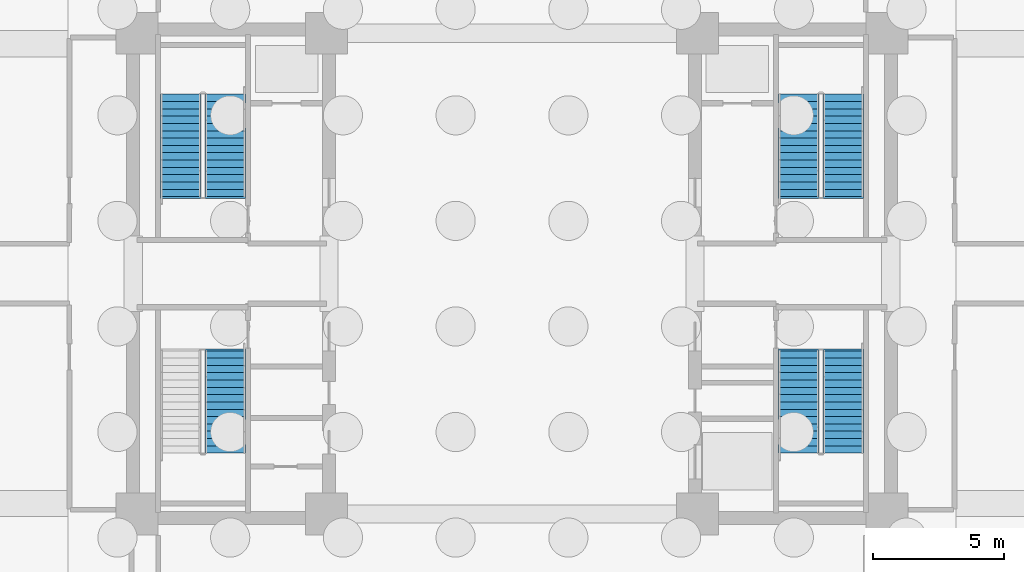
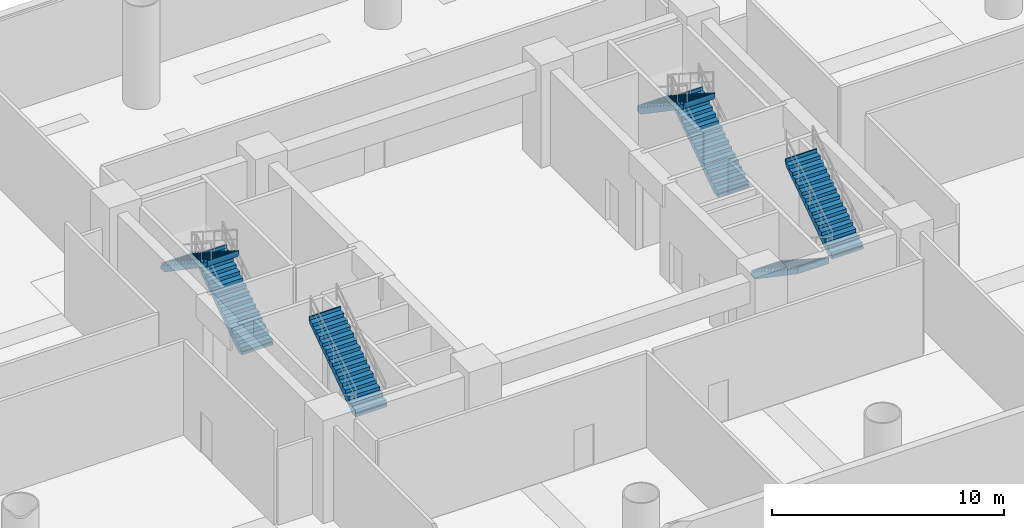
# One storey, part 5 of 7: 7 stair flights, 4 elements without a shape of their own.
"""IFC4 building model written with IfcOpenShell, lengths in metres."""

from ifc_helpers import new_model, si_unit, direction, frame, origin, place, context, subcontext, project, spatial, polyline, outline, extrude, material, type_object, element, aggregate, save


model = new_model("IFC4")

# Units and contexts
model_context = context("Model", 3, precision=1e-05, world=origin(), true_north=direction((0.0, 1.0)))
body_context = subcontext(model_context, "Body", "Model", "MODEL_VIEW")
ifc_project = project(units=[si_unit("LENGTHUNIT", "METRE"), si_unit("AREAUNIT", "SQUARE_METRE"), si_unit("VOLUMEUNIT", "CUBIC_METRE"), si_unit("PLANEANGLEUNIT", "RADIAN"), si_unit("MASSUNIT", "GRAM", prefix="KILO")], contexts=[model_context])

# Site, building, storey
site_placement = place(None, origin())
site = spatial("IfcSite", under=ifc_project, at=site_placement, CompositionType="ELEMENT")
building_placement = place(site_placement, origin())
building = spatial("IfcBuilding", under=site, at=building_placement, Name="Zahravan Cultural Tower", CompositionType="ELEMENT")
storey_placement = place(building_placement, frame((0.0, 0.0, -5.39990234375)))
storey = spatial("IfcBuildingStorey", under=building, at=storey_placement, Name="B1", CompositionType="ELEMENT", Elevation=-5.39990234375)

# Stair, stair flights
ifc_material = material(Name="Concrete C45/55", Category="concrete")
stair_type = type_object("IfcStairType", Name="STR-DL-1550-540", PredefinedType="HALF_TURN_STAIR", material=ifc_material)
stair_1_placement = place(storey_placement, origin())
stair_1 = element("IfcStair", 1, at=stair_1_placement, inside=storey, type_object=stair_type, Name="B1 West Core North Exit Stair ST-W1", PredefinedType="HALF_TURN_STAIR")
stair_flight_type = type_object("IfcStairFlightType", Name="FLG-DL-1550-540", PredefinedType="STRAIGHT", material=ifc_material)
stair_flight_1_placement = place(storey_placement, frame((25.02490234375, 29.949951171875, 0.0), z_axis=(0.0, 0.0, 1.0), x_axis=(0.0, 1.0, 0.0)))
stair_flight_1 = element("IfcStairFlight", 2, at=stair_flight_1_placement, type_object=stair_flight_type, Name="ST-W1 flight 1", NumberOfRisers=15, NumberOfTreads=14, PredefinedType="STRAIGHT", RiserHeight=0.18, TreadLength=0.28, context=body_context, shape_type="SweptSolid", body=[
    extrude(outline(polyline([(-0.06494140625, -0.139892578125), (-0.06494140625, 0.0), (0.0, 0.0), (0.0, 0.179931640625), (0.280029296875, 0.179931640625), (0.280029296875, 0.360107421875), (0.56005859375, 0.360107421875), (0.56005859375, 0.5400390625), (0.840087890625, 0.5400390625), (0.840087890625, 0.719970703125), (1.1201171875, 0.719970703125), (1.1201171875, 0.89990234375), (1.39990234375, 0.89990234375), (1.39990234375, 1.080078125), (1.679931640625, 1.080078125), (1.679931640625, 1.260009765625), (1.9599609375, 1.260009765625), (1.9599609375, 1.43994140625), (2.239990234375, 1.43994140625), (2.239990234375, 1.6201171875), (2.52001953125, 1.6201171875), (2.52001953125, 1.800048828125), (2.800048828125, 1.800048828125), (2.800048828125, 1.97998046875), (3.080078125, 1.97998046875), (3.080078125, 2.159912109375), (3.360107421875, 2.159912109375), (3.360107421875, 2.340087890625), (3.639892578125, 2.340087890625), (3.639892578125, 2.52001953125), (3.919921875, 2.52001953125), (3.919921875, 2.699951171875), (3.985107421875, 2.699951171875), (3.985107421875, 2.550048828125), (3.919921875, 2.341796875), (0.277099609375, -0.139892578125), (-0.06494140625, -0.139892578125)])), frame((0.0, 0.77490234375, 0.0), z_axis=(0.0, -1.0, 0.0), x_axis=(1.0, 0.0, 0.0)), (0.0, 0.0, 1.0), 1.550048828125),
])
stair_flight_2_placement = place(storey_placement, frame((23.324951171875, 33.8701171875, 2.699951171875), z_axis=(0.0, 0.0, 1.0), x_axis=(0.0, -1.0, 0.0)))
stair_flight_2 = element("IfcStairFlight", 3, at=stair_flight_2_placement, type_object=stair_flight_type, Name="ST-W1 flight 2", NumberOfRisers=15, NumberOfTreads=14, PredefinedType="STRAIGHT", RiserHeight=0.18, TreadLength=0.28, context=body_context, shape_type="SweptSolid", body=[
    extrude(outline(polyline([(-0.06494140625, -0.139892578125), (-0.06494140625, 0.0), (0.0, 0.0), (0.0, 0.179931640625), (0.280029296875, 0.179931640625), (0.280029296875, 0.360107421875), (0.56005859375, 0.360107421875), (0.56005859375, 0.5400390625), (0.840087890625, 0.5400390625), (0.840087890625, 0.719970703125), (1.1201171875, 0.719970703125), (1.1201171875, 0.89990234375), (1.39990234375, 0.89990234375), (1.39990234375, 1.080078125), (1.679931640625, 1.080078125), (1.679931640625, 1.260009765625), (1.9599609375, 1.260009765625), (1.9599609375, 1.43994140625), (2.239990234375, 1.43994140625), (2.239990234375, 1.6201171875), (2.52001953125, 1.6201171875), (2.52001953125, 1.800048828125), (2.800048828125, 1.800048828125), (2.800048828125, 1.97998046875), (3.080078125, 1.97998046875), (3.080078125, 2.159912109375), (3.360107421875, 2.159912109375), (3.360107421875, 2.340087890625), (3.639892578125, 2.340087890625), (3.639892578125, 2.52001953125), (3.919921875, 2.52001953125), (3.919921875, 2.699951171875), (3.985107421875, 2.699951171875), (3.985107421875, 2.550048828125), (3.919921875, 2.341796875), (0.277099609375, -0.139892578125), (-0.06494140625, -0.139892578125)])), frame((0.0, 0.77490234375, 0.0), z_axis=(0.0, -1.0, 0.0), x_axis=(1.0, 0.0, 0.0)), (0.0, 0.0, 1.0), 1.550048828125),
])
aggregate(stair_1, [stair_flight_1, stair_flight_2])

# Stair, stair flight
stair_2_placement = place(storey_placement, origin())
stair_2 = element("IfcStair", 4, at=stair_2_placement, inside=storey, type_object=stair_type, Name="B1 West Core South Exit Stair ST-W2", PredefinedType="HALF_TURN_STAIR")
stair_flight_3_placement = place(storey_placement, frame((25.02490234375, 20.1298828125, 2.699951171875), z_axis=(0.0, 0.0, 1.0), x_axis=(0.0, 1.0, 0.0)))
stair_flight_3 = element("IfcStairFlight", 5, at=stair_flight_3_placement, type_object=stair_flight_type, Name="ST-W2 flight 2", NumberOfRisers=15, NumberOfTreads=14, PredefinedType="STRAIGHT", RiserHeight=0.18, TreadLength=0.28, context=body_context, shape_type="SweptSolid", body=[
    extrude(outline(polyline([(-0.06494140625, -0.139892578125), (-0.06494140625, 0.0), (0.0, 0.0), (0.0, 0.179931640625), (0.280029296875, 0.179931640625), (0.280029296875, 0.360107421875), (0.56005859375, 0.360107421875), (0.56005859375, 0.5400390625), (0.840087890625, 0.5400390625), (0.840087890625, 0.719970703125), (1.1201171875, 0.719970703125), (1.1201171875, 0.89990234375), (1.39990234375, 0.89990234375), (1.39990234375, 1.080078125), (1.679931640625, 1.080078125), (1.679931640625, 1.260009765625), (1.9599609375, 1.260009765625), (1.9599609375, 1.43994140625), (2.239990234375, 1.43994140625), (2.239990234375, 1.6201171875), (2.52001953125, 1.6201171875), (2.52001953125, 1.800048828125), (2.800048828125, 1.800048828125), (2.800048828125, 1.97998046875), (3.080078125, 1.97998046875), (3.080078125, 2.159912109375), (3.360107421875, 2.159912109375), (3.360107421875, 2.340087890625), (3.639892578125, 2.340087890625), (3.639892578125, 2.52001953125), (3.919921875, 2.52001953125), (3.919921875, 2.699951171875), (3.985107421875, 2.699951171875), (3.985107421875, 2.550048828125), (3.919921875, 2.341796875), (0.277099609375, -0.139892578125), (-0.06494140625, -0.139892578125)])), frame((0.0, 0.77490234375, 0.0), z_axis=(0.0, -1.0, 0.0), x_axis=(1.0, 0.0, 0.0)), (0.0, 0.0, 1.0), 1.550048828125),
])
aggregate(stair_2, [stair_flight_3])

# Stair, stair flights
stair_3_placement = place(storey_placement, origin())
stair_3 = element("IfcStair", 6, at=stair_3_placement, inside=storey, type_object=stair_type, Name="B1 East Core North Exit Stair ST-E1", PredefinedType="HALF_TURN_STAIR")
stair_flight_4_placement = place(storey_placement, frame((48.675048828125, 29.949951171875, 0.0), z_axis=(0.0, 0.0, 1.0), x_axis=(0.0, 1.0, 0.0)))
stair_flight_4 = element("IfcStairFlight", 7, at=stair_flight_4_placement, type_object=stair_flight_type, Name="ST-E1 flight 1", NumberOfRisers=15, NumberOfTreads=14, PredefinedType="STRAIGHT", RiserHeight=0.18, TreadLength=0.28, context=body_context, shape_type="SweptSolid", body=[
    extrude(outline(polyline([(-0.06494140625, -0.139892578125), (-0.06494140625, 0.0), (0.0, 0.0), (0.0, 0.179931640625), (0.280029296875, 0.179931640625), (0.280029296875, 0.360107421875), (0.56005859375, 0.360107421875), (0.56005859375, 0.5400390625), (0.840087890625, 0.5400390625), (0.840087890625, 0.719970703125), (1.1201171875, 0.719970703125), (1.1201171875, 0.89990234375), (1.39990234375, 0.89990234375), (1.39990234375, 1.080078125), (1.679931640625, 1.080078125), (1.679931640625, 1.260009765625), (1.9599609375, 1.260009765625), (1.9599609375, 1.43994140625), (2.239990234375, 1.43994140625), (2.239990234375, 1.6201171875), (2.52001953125, 1.6201171875), (2.52001953125, 1.800048828125), (2.800048828125, 1.800048828125), (2.800048828125, 1.97998046875), (3.080078125, 1.97998046875), (3.080078125, 2.159912109375), (3.360107421875, 2.159912109375), (3.360107421875, 2.340087890625), (3.639892578125, 2.340087890625), (3.639892578125, 2.52001953125), (3.919921875, 2.52001953125), (3.919921875, 2.699951171875), (3.985107421875, 2.699951171875), (3.985107421875, 2.550048828125), (3.919921875, 2.341796875), (0.277099609375, -0.139892578125), (-0.06494140625, -0.139892578125)])), frame((0.0, 0.77490234375, 0.0), z_axis=(0.0, -1.0, 0.0), x_axis=(1.0, 0.0, 0.0)), (0.0, 0.0, 1.0), 1.550048828125),
])
stair_flight_5_placement = place(storey_placement, frame((46.97509765625, 33.8701171875, 2.699951171875), z_axis=(0.0, 0.0, 1.0), x_axis=(0.0, -1.0, 0.0)))
stair_flight_5 = element("IfcStairFlight", 8, at=stair_flight_5_placement, type_object=stair_flight_type, Name="ST-E1 flight 2", NumberOfRisers=15, NumberOfTreads=14, PredefinedType="STRAIGHT", RiserHeight=0.18, TreadLength=0.28, context=body_context, shape_type="SweptSolid", body=[
    extrude(outline(polyline([(-0.06494140625, -0.139892578125), (-0.06494140625, 0.0), (0.0, 0.0), (0.0, 0.179931640625), (0.280029296875, 0.179931640625), (0.280029296875, 0.360107421875), (0.56005859375, 0.360107421875), (0.56005859375, 0.5400390625), (0.840087890625, 0.5400390625), (0.840087890625, 0.719970703125), (1.1201171875, 0.719970703125), (1.1201171875, 0.89990234375), (1.39990234375, 0.89990234375), (1.39990234375, 1.080078125), (1.679931640625, 1.080078125), (1.679931640625, 1.260009765625), (1.9599609375, 1.260009765625), (1.9599609375, 1.43994140625), (2.239990234375, 1.43994140625), (2.239990234375, 1.6201171875), (2.52001953125, 1.6201171875), (2.52001953125, 1.800048828125), (2.800048828125, 1.800048828125), (2.800048828125, 1.97998046875), (3.080078125, 1.97998046875), (3.080078125, 2.159912109375), (3.360107421875, 2.159912109375), (3.360107421875, 2.340087890625), (3.639892578125, 2.340087890625), (3.639892578125, 2.52001953125), (3.919921875, 2.52001953125), (3.919921875, 2.699951171875), (3.985107421875, 2.699951171875), (3.985107421875, 2.550048828125), (3.919921875, 2.341796875), (0.277099609375, -0.139892578125), (-0.06494140625, -0.139892578125)])), frame((0.0, 0.77490234375, 0.0), z_axis=(0.0, -1.0, 0.0), x_axis=(1.0, 0.0, 0.0)), (0.0, 0.0, 1.0), 1.550048828125),
])
aggregate(stair_3, [stair_flight_4, stair_flight_5])

stair_4_placement = place(storey_placement, origin())
stair_4 = element("IfcStair", 9, at=stair_4_placement, inside=storey, type_object=stair_type, Name="B1 East Core South Exit Stair ST-E2", PredefinedType="HALF_TURN_STAIR")
stair_flight_6_placement = place(storey_placement, frame((46.97509765625, 24.050048828125, 0.0), z_axis=(0.0, 0.0, 1.0), x_axis=(0.0, -1.0, 0.0)))
stair_flight_6 = element("IfcStairFlight", 10, at=stair_flight_6_placement, type_object=stair_flight_type, Name="ST-E2 flight 1", NumberOfRisers=15, NumberOfTreads=14, PredefinedType="STRAIGHT", RiserHeight=0.18, TreadLength=0.28, context=body_context, shape_type="SweptSolid", body=[
    extrude(outline(polyline([(-0.06494140625, -0.139892578125), (-0.06494140625, 0.0), (0.0, 0.0), (0.0, 0.179931640625), (0.280029296875, 0.179931640625), (0.280029296875, 0.360107421875), (0.56005859375, 0.360107421875), (0.56005859375, 0.5400390625), (0.840087890625, 0.5400390625), (0.840087890625, 0.719970703125), (1.1201171875, 0.719970703125), (1.1201171875, 0.89990234375), (1.39990234375, 0.89990234375), (1.39990234375, 1.080078125), (1.679931640625, 1.080078125), (1.679931640625, 1.260009765625), (1.9599609375, 1.260009765625), (1.9599609375, 1.43994140625), (2.239990234375, 1.43994140625), (2.239990234375, 1.6201171875), (2.52001953125, 1.6201171875), (2.52001953125, 1.800048828125), (2.800048828125, 1.800048828125), (2.800048828125, 1.97998046875), (3.080078125, 1.97998046875), (3.080078125, 2.159912109375), (3.360107421875, 2.159912109375), (3.360107421875, 2.340087890625), (3.639892578125, 2.340087890625), (3.639892578125, 2.52001953125), (3.919921875, 2.52001953125), (3.919921875, 2.699951171875), (3.985107421875, 2.699951171875), (3.985107421875, 2.550048828125), (3.919921875, 2.341796875), (0.277099609375, -0.139892578125), (-0.06494140625, -0.139892578125)])), frame((0.0, 0.77490234375, 0.0), z_axis=(0.0, -1.0, 0.0), x_axis=(1.0, 0.0, 0.0)), (0.0, 0.0, 1.0), 1.550048828125),
])
stair_flight_7_placement = place(storey_placement, frame((48.675048828125, 20.1298828125, 2.699951171875), z_axis=(0.0, 0.0, 1.0), x_axis=(0.0, 1.0, 0.0)))
stair_flight_7 = element("IfcStairFlight", 11, at=stair_flight_7_placement, type_object=stair_flight_type, Name="ST-E2 flight 2", NumberOfRisers=15, NumberOfTreads=14, PredefinedType="STRAIGHT", RiserHeight=0.18, TreadLength=0.28, context=body_context, shape_type="SweptSolid", body=[
    extrude(outline(polyline([(-0.06494140625, -0.139892578125), (-0.06494140625, 0.0), (0.0, 0.0), (0.0, 0.179931640625), (0.280029296875, 0.179931640625), (0.280029296875, 0.360107421875), (0.56005859375, 0.360107421875), (0.56005859375, 0.5400390625), (0.840087890625, 0.5400390625), (0.840087890625, 0.719970703125), (1.1201171875, 0.719970703125), (1.1201171875, 0.89990234375), (1.39990234375, 0.89990234375), (1.39990234375, 1.080078125), (1.679931640625, 1.080078125), (1.679931640625, 1.260009765625), (1.9599609375, 1.260009765625), (1.9599609375, 1.43994140625), (2.239990234375, 1.43994140625), (2.239990234375, 1.6201171875), (2.52001953125, 1.6201171875), (2.52001953125, 1.800048828125), (2.800048828125, 1.800048828125), (2.800048828125, 1.97998046875), (3.080078125, 1.97998046875), (3.080078125, 2.159912109375), (3.360107421875, 2.159912109375), (3.360107421875, 2.340087890625), (3.639892578125, 2.340087890625), (3.639892578125, 2.52001953125), (3.919921875, 2.52001953125), (3.919921875, 2.699951171875), (3.985107421875, 2.699951171875), (3.985107421875, 2.550048828125), (3.919921875, 2.341796875), (0.277099609375, -0.139892578125), (-0.06494140625, -0.139892578125)])), frame((0.0, 0.77490234375, 0.0), z_axis=(0.0, -1.0, 0.0), x_axis=(1.0, 0.0, 0.0)), (0.0, 0.0, 1.0), 1.550048828125),
])
aggregate(stair_4, [stair_flight_6, stair_flight_7])

save(model, "model.ifc")
